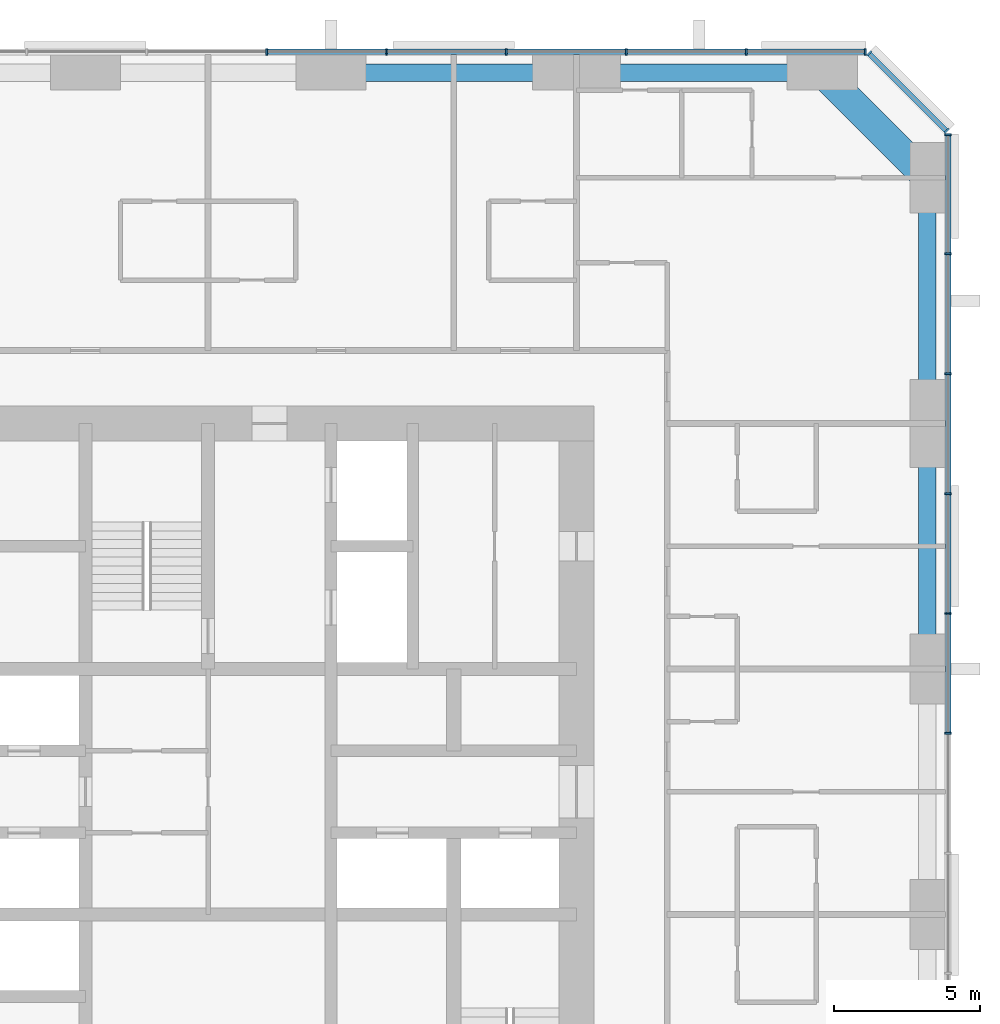
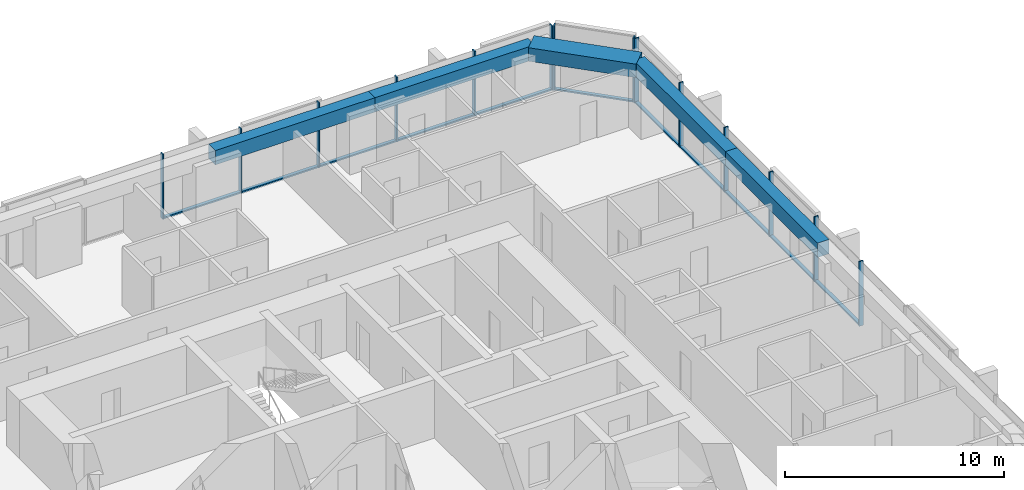
# One storey, part 6 of 13: 25 members, 5 beams, 3 elements without a shape of their own.
"""IFC4 building model written with IfcOpenShell, lengths in metres."""

from ifc_helpers import new_model, si_unit, direction, frame, origin, origin_2d, place, context, subcontext, project, spatial, rectangle, extrude, material, material_profile, profile_set, type_object, element, aggregate, save


model = new_model("IFC4")

# Units and contexts
model_context = context("Model", 3, precision=1e-05, world=origin(), true_north=direction((0.0, 1.0)))
body_context = subcontext(model_context, "Body", "Model", "MODEL_VIEW")
ifc_project = project(units=[si_unit("LENGTHUNIT", "METRE"), si_unit("AREAUNIT", "SQUARE_METRE"), si_unit("VOLUMEUNIT", "CUBIC_METRE"), si_unit("PLANEANGLEUNIT", "RADIAN"), si_unit("MASSUNIT", "GRAM", prefix="KILO")], contexts=[model_context])

# Site, building, storey
site_placement = place(None, origin())
site = spatial("IfcSite", under=ifc_project, at=site_placement, CompositionType="ELEMENT")
building_placement = place(site_placement, origin())
building = spatial("IfcBuilding", under=site, at=building_placement, Name="Dunama Terrace Hotel", CompositionType="ELEMENT")
storey_placement = place(building_placement, frame((0.0, 0.0, 144.0)))
storey = spatial("IfcBuildingStorey", under=building, at=storey_placement, Name="L37", CompositionType="ELEMENT", Elevation=144.0)

# Curtain wall, members
ifc_material_1 = material(Name="Aluminium curtain wall system", Category="aluminium")
curtain_wall_type = type_object("IfcCurtainWallType", Name="Unitised fritted glass wall CW-B", PredefinedType="NOTDEFINED", material=ifc_material_1)
curtain_wall_1_placement = place(storey_placement, origin())
curtain_wall_1 = element("IfcCurtainWall", 1, at=curtain_wall_1_placement, inside=storey, type_object=curtain_wall_type, Name="Unitised fritted glass wall CW-B L37", PredefinedType="NOTDEFINED")
ifc_material_2 = material(Name="Aluminium mullion", Category="aluminium")
ifc_material_profile_1 = material_profile(ifc_material_2, rectangle(XDim=0.06494140625, YDim=0.219970703125, at=origin_2d()), Name="CWB MULLION 65X220")
ifc_profile_set_1 = profile_set([ifc_material_profile_1], Name="Aluminium mullion")
member_type_1 = type_object("IfcMemberType", Name="CWB mullion 65x220", PredefinedType="MULLION", material=ifc_profile_set_1)
member_1_placement = place(storey_placement, frame((54.7099609375, 31.39990234375, 0.0), z_axis=(0.0, 0.0, 1.0), x_axis=(0.0, 1.0, 0.0)))
member_1 = element("IfcMember", 2, at=member_1_placement, type_object=member_type_1, Name="CWB mullion", PredefinedType="MULLION", context=body_context, shape_type="SweptSolid", body=[
    extrude(rectangle(XDim=0.06494140625, YDim=0.219970703125, at=origin_2d()), origin(), (0.0, 0.0, 1.0), 3.60009765625),
])
member_2_placement = place(storey_placement, frame((54.7099609375, 35.5, 0.0), z_axis=(0.0, 0.0, 1.0), x_axis=(0.0, 1.0, 0.0)))
member_2 = element("IfcMember", 3, at=member_2_placement, type_object=member_type_1, Name="CWB mullion", PredefinedType="MULLION", context=body_context, shape_type="SweptSolid", body=[
    extrude(rectangle(XDim=0.06494140625, YDim=0.219970703125, at=origin_2d()), origin(), (0.0, 0.0, 1.0), 3.60009765625),
])
member_3_placement = place(storey_placement, frame((54.7099609375, 39.60009765625, 0.0), z_axis=(0.0, 0.0, 1.0), x_axis=(0.0, 1.0, 0.0)))
member_3 = element("IfcMember", 4, at=member_3_placement, type_object=member_type_1, Name="CWB mullion", PredefinedType="MULLION", context=body_context, shape_type="SweptSolid", body=[
    extrude(rectangle(XDim=0.06494140625, YDim=0.219970703125, at=origin_2d()), origin(), (0.0, 0.0, 1.0), 3.60009765625),
])
member_4_placement = place(storey_placement, frame((54.7099609375, 43.699951171875, 0.0), z_axis=(0.0, 0.0, 1.0), x_axis=(0.0, 1.0, 0.0)))
member_4 = element("IfcMember", 5, at=member_4_placement, type_object=member_type_1, Name="CWB mullion", PredefinedType="MULLION", context=body_context, shape_type="SweptSolid", body=[
    extrude(rectangle(XDim=0.06494140625, YDim=0.219970703125, at=origin_2d()), origin(), (0.0, 0.0, 1.0), 3.60009765625),
])
member_5_placement = place(storey_placement, frame((54.7099609375, 47.800048828125, 0.0), z_axis=(0.0, 0.0, 1.0), x_axis=(0.0, 1.0, 0.0)))
member_5 = element("IfcMember", 6, at=member_5_placement, type_object=member_type_1, Name="CWB mullion", PredefinedType="MULLION", context=body_context, shape_type="SweptSolid", body=[
    extrude(rectangle(XDim=0.06494140625, YDim=0.219970703125, at=origin_2d()), origin(), (0.0, 0.0, 1.0), 3.60009765625),
])
member_6_placement = place(storey_placement, frame((54.7099609375, 51.866943359375, 0.0), z_axis=(0.0, 0.0, 1.0), x_axis=(0.0, 1.0, 0.0)))
member_6 = element("IfcMember", 7, at=member_6_placement, type_object=member_type_1, Name="CWB mullion", PredefinedType="MULLION", context=body_context, shape_type="SweptSolid", body=[
    extrude(rectangle(XDim=0.06494140625, YDim=0.219970703125, at=origin_2d()), origin(), (0.0, 0.0, 1.0), 3.60009765625),
])

curtain_wall_2_placement = place(storey_placement, origin())
curtain_wall_2 = element("IfcCurtainWall", 8, at=curtain_wall_2_placement, inside=storey, type_object=curtain_wall_type, Name="Unitised fritted glass wall CW-B L37", PredefinedType="NOTDEFINED")
member_7_placement = place(storey_placement, frame((54.655029296875, 52.0009765625, 0.0), z_axis=(0.0, 0.0, 1.0), x_axis=(-0.707106781187, 0.707106781187, 0.0)))
member_7 = element("IfcMember", 9, at=member_7_placement, type_object=member_type_1, Name="CWB mullion", PredefinedType="MULLION", context=body_context, shape_type="SweptSolid", body=[
    extrude(rectangle(XDim=0.06494140625, YDim=0.219970703125, at=origin_2d()), origin(), (0.0, 0.0, 1.0), 3.60009765625),
])
member_8_placement = place(storey_placement, frame((52.0009765625, 54.655029296875, 0.0), z_axis=(0.0, 0.0, 1.0), x_axis=(-0.707106781187, 0.707106781187, 0.0)))
member_8 = element("IfcMember", 10, at=member_8_placement, type_object=member_type_1, Name="CWB mullion", PredefinedType="MULLION", context=body_context, shape_type="SweptSolid", body=[
    extrude(rectangle(XDim=0.06494140625, YDim=0.219970703125, at=origin_2d()), origin(), (0.0, 0.0, 1.0), 3.60009765625),
])

curtain_wall_3_placement = place(storey_placement, origin())
curtain_wall_3 = element("IfcCurtainWall", 11, at=curtain_wall_3_placement, inside=storey, type_object=curtain_wall_type, Name="Unitised fritted glass wall CW-B L37", PredefinedType="NOTDEFINED")
member_9_placement = place(storey_placement, frame((51.866943359375, 54.7099609375, 0.0), z_axis=(0.0, 0.0, 1.0), x_axis=(-1.0, 0.0, 0.0)))
member_9 = element("IfcMember", 12, at=member_9_placement, type_object=member_type_1, Name="CWB mullion", PredefinedType="MULLION", context=body_context, shape_type="SweptSolid", body=[
    extrude(rectangle(XDim=0.06494140625, YDim=0.219970703125, at=origin_2d()), origin(), (0.0, 0.0, 1.0), 3.60009765625),
])
member_10_placement = place(storey_placement, frame((47.800048828125, 54.7099609375, 0.0), z_axis=(0.0, 0.0, 1.0), x_axis=(-1.0, 0.0, 0.0)))
member_10 = element("IfcMember", 13, at=member_10_placement, type_object=member_type_1, Name="CWB mullion", PredefinedType="MULLION", context=body_context, shape_type="SweptSolid", body=[
    extrude(rectangle(XDim=0.06494140625, YDim=0.219970703125, at=origin_2d()), origin(), (0.0, 0.0, 1.0), 3.60009765625),
])
member_11_placement = place(storey_placement, frame((43.699951171875, 54.7099609375, 0.0), z_axis=(0.0, 0.0, 1.0), x_axis=(-1.0, 0.0, 0.0)))
member_11 = element("IfcMember", 14, at=member_11_placement, type_object=member_type_1, Name="CWB mullion", PredefinedType="MULLION", context=body_context, shape_type="SweptSolid", body=[
    extrude(rectangle(XDim=0.06494140625, YDim=0.219970703125, at=origin_2d()), origin(), (0.0, 0.0, 1.0), 3.60009765625),
])
member_12_placement = place(storey_placement, frame((39.60009765625, 54.7099609375, 0.0), z_axis=(0.0, 0.0, 1.0), x_axis=(-1.0, 0.0, 0.0)))
member_12 = element("IfcMember", 15, at=member_12_placement, type_object=member_type_1, Name="CWB mullion", PredefinedType="MULLION", context=body_context, shape_type="SweptSolid", body=[
    extrude(rectangle(XDim=0.06494140625, YDim=0.219970703125, at=origin_2d()), origin(), (0.0, 0.0, 1.0), 3.60009765625),
])
member_13_placement = place(storey_placement, frame((35.5, 54.7099609375, 0.0), z_axis=(0.0, 0.0, 1.0), x_axis=(-1.0, 0.0, 0.0)))
member_13 = element("IfcMember", 16, at=member_13_placement, type_object=member_type_1, Name="CWB mullion", PredefinedType="MULLION", context=body_context, shape_type="SweptSolid", body=[
    extrude(rectangle(XDim=0.06494140625, YDim=0.219970703125, at=origin_2d()), origin(), (0.0, 0.0, 1.0), 3.60009765625),
])
member_14_placement = place(storey_placement, frame((31.39990234375, 54.7099609375, 0.0), z_axis=(0.0, 0.0, 1.0), x_axis=(-1.0, 0.0, 0.0)))
member_14 = element("IfcMember", 17, at=member_14_placement, type_object=member_type_1, Name="CWB mullion", PredefinedType="MULLION", context=body_context, shape_type="SweptSolid", body=[
    extrude(rectangle(XDim=0.06494140625, YDim=0.219970703125, at=origin_2d()), origin(), (0.0, 0.0, 1.0), 3.60009765625),
])

# Member
ifc_material_3 = material(Name="Aluminium transom", Category="aluminium")
ifc_material_profile_2 = material_profile(ifc_material_3, rectangle(XDim=0.179931640625, YDim=0.080078125, at=origin_2d()), Name="CWB TRANSOM 180X80")
ifc_profile_set_2 = profile_set([ifc_material_profile_2], Name="Aluminium transom")
member_type_2 = type_object("IfcMemberType", Name="CWB transom 180x80", PredefinedType="USERDEFINED", material=ifc_profile_set_2)
member_15_placement = place(storey_placement, frame((54.7099609375, 31.431884765625, 0.0400390625), z_axis=(0.0, 1.0, 0.0), x_axis=(-1.0, 0.0, 0.0)))
member_15 = element("IfcMember", 18, at=member_15_placement, type_object=member_type_2, Name="CWB transom", ObjectType="TRANSOM", PredefinedType="USERDEFINED", context=body_context, shape_type="SweptSolid", body=[
    extrude(rectangle(XDim=0.179931640625, YDim=0.080078125, at=origin_2d()), origin(), (0.0, 0.0, 1.0), 4.0361328125),
])

member_16_placement = place(storey_placement, frame((54.7099609375, 35.531982421875, 0.0400390625), z_axis=(0.0, 1.0, 0.0), x_axis=(-1.0, 0.0, 0.0)))
member_16 = element("IfcMember", 19, at=member_16_placement, type_object=member_type_2, Name="CWB transom", ObjectType="TRANSOM", PredefinedType="USERDEFINED", context=body_context, shape_type="SweptSolid", body=[
    extrude(rectangle(XDim=0.179931640625, YDim=0.080078125, at=origin_2d()), origin(), (0.0, 0.0, 1.0), 4.0361328125),
])

member_17_placement = place(storey_placement, frame((54.7099609375, 39.633056640625, 0.0400390625), z_axis=(0.0, 1.0, 0.0), x_axis=(-1.0, 0.0, 0.0)))
member_17 = element("IfcMember", 20, at=member_17_placement, type_object=member_type_2, Name="CWB transom", ObjectType="TRANSOM", PredefinedType="USERDEFINED", context=body_context, shape_type="SweptSolid", body=[
    extrude(rectangle(XDim=0.179931640625, YDim=0.080078125, at=origin_2d()), origin(), (0.0, 0.0, 1.0), 4.034912109375),
])

member_18_placement = place(storey_placement, frame((54.7099609375, 43.73291015625, 0.0400390625), z_axis=(0.0, 1.0, 0.0), x_axis=(-1.0, 0.0, 0.0)))
member_18 = element("IfcMember", 21, at=member_18_placement, type_object=member_type_2, Name="CWB transom", ObjectType="TRANSOM", PredefinedType="USERDEFINED", context=body_context, shape_type="SweptSolid", body=[
    extrude(rectangle(XDim=0.179931640625, YDim=0.080078125, at=origin_2d()), origin(), (0.0, 0.0, 1.0), 4.0341796875),
])

member_19_placement = place(storey_placement, frame((54.7099609375, 47.83203125, 0.0400390625), z_axis=(0.0, 1.0, 0.0), x_axis=(-1.0, 0.0, 0.0)))
member_19 = element("IfcMember", 22, at=member_19_placement, type_object=member_type_2, Name="CWB transom", ObjectType="TRANSOM", PredefinedType="USERDEFINED", context=body_context, shape_type="SweptSolid", body=[
    extrude(rectangle(XDim=0.179931640625, YDim=0.080078125, at=origin_2d()), origin(), (0.0, 0.0, 1.0), 4.0029296875),
])

aggregate(curtain_wall_1, [member_1, member_2, member_3, member_4, member_5, member_6, member_15, member_16, member_17, member_18, member_19])

member_20_placement = place(storey_placement, frame((54.632080078125, 52.02392578125, 0.0400390625), z_axis=(-0.707106781187, 0.707106781187, 0.0), x_axis=(-0.707106781187, -0.707106781187, 0.0)))
member_20 = element("IfcMember", 23, at=member_20_placement, type_object=member_type_2, Name="CWB transom", ObjectType="TRANSOM", PredefinedType="USERDEFINED", context=body_context, shape_type="SweptSolid", body=[
    extrude(rectangle(XDim=0.179931640625, YDim=0.080078125, at=origin_2d()), origin(), (0.0, 0.0, 1.0), 3.6884765625),
])

aggregate(curtain_wall_2, [member_7, member_8, member_20])

member_21_placement = place(storey_placement, frame((51.8349609375, 54.7099609375, 0.0400390625), z_axis=(-1.0, 0.0, 0.0), x_axis=(0.0, -1.0, 0.0)))
member_21 = element("IfcMember", 24, at=member_21_placement, type_object=member_type_2, Name="CWB transom", ObjectType="TRANSOM", PredefinedType="USERDEFINED", context=body_context, shape_type="SweptSolid", body=[
    extrude(rectangle(XDim=0.179931640625, YDim=0.080078125, at=origin_2d()), origin(), (0.0, 0.0, 1.0), 4.0029296875),
])

member_22_placement = place(storey_placement, frame((47.76708984375, 54.7099609375, 0.0400390625), z_axis=(-1.0, 0.0, 0.0), x_axis=(0.0, -1.0, 0.0)))
member_22 = element("IfcMember", 25, at=member_22_placement, type_object=member_type_2, Name="CWB transom", ObjectType="TRANSOM", PredefinedType="USERDEFINED", context=body_context, shape_type="SweptSolid", body=[
    extrude(rectangle(XDim=0.179931640625, YDim=0.080078125, at=origin_2d()), origin(), (0.0, 0.0, 1.0), 4.0341796875),
])

member_23_placement = place(storey_placement, frame((43.6669921875, 54.7099609375, 0.0400390625), z_axis=(-1.0, 0.0, 0.0), x_axis=(0.0, -1.0, 0.0)))
member_23 = element("IfcMember", 26, at=member_23_placement, type_object=member_type_2, Name="CWB transom", ObjectType="TRANSOM", PredefinedType="USERDEFINED", context=body_context, shape_type="SweptSolid", body=[
    extrude(rectangle(XDim=0.179931640625, YDim=0.080078125, at=origin_2d()), origin(), (0.0, 0.0, 1.0), 4.033935546875),
])

member_24_placement = place(storey_placement, frame((39.56689453125, 54.7099609375, 0.0400390625), z_axis=(-1.0, 0.0, 0.0), x_axis=(0.0, -1.0, 0.0)))
member_24 = element("IfcMember", 27, at=member_24_placement, type_object=member_type_2, Name="CWB transom", ObjectType="TRANSOM", PredefinedType="USERDEFINED", context=body_context, shape_type="SweptSolid", body=[
    extrude(rectangle(XDim=0.179931640625, YDim=0.080078125, at=origin_2d()), origin(), (0.0, 0.0, 1.0), 4.034912109375),
])

member_25_placement = place(storey_placement, frame((35.468017578125, 54.7099609375, 0.0400390625), z_axis=(-1.0, 0.0, 0.0), x_axis=(0.0, -1.0, 0.0)))
member_25 = element("IfcMember", 28, at=member_25_placement, type_object=member_type_2, Name="CWB transom", ObjectType="TRANSOM", PredefinedType="USERDEFINED", context=body_context, shape_type="SweptSolid", body=[
    extrude(rectangle(XDim=0.179931640625, YDim=0.080078125, at=origin_2d()), origin(), (0.0, 0.0, 1.0), 4.0361328125),
])

aggregate(curtain_wall_3, [member_9, member_10, member_11, member_12, member_13, member_14, member_21, member_22, member_23, member_24, member_25])

# Beams
ifc_material_4 = material(Name="Concrete C50/60", Category="concrete")
ifc_material_profile_3 = material_profile(ifc_material_4, rectangle(XDim=1.0, YDim=0.75, at=origin_2d()), Name="RC 1000x750")
ifc_profile_set_3 = profile_set([ifc_material_profile_3], Name="Concrete C50/60")
beam_type_1 = type_object("IfcBeamType", Name="Edge beam RC 1000x750", PredefinedType="SPANDREL", material=ifc_profile_set_3)
beam_placement = place(storey_placement, frame((50.39990234375, 54.0, 3.22509765625), z_axis=(0.707106781187, -0.707106781187, 0.0), x_axis=(0.707106781187, 0.707106781187, 0.0)))
element("IfcBeam", 29, at=beam_placement, inside=storey, type_object=beam_type_1, Name="Corner edge beam under L38", PredefinedType="SPANDREL", context=body_context, shape_type="SweptSolid", body=[
    extrude(rectangle(XDim=1.0, YDim=0.75, at=origin_2d()), origin(), (0.0, 0.0, 1.0), 5.09130859375),
])
ifc_material_5 = material(Name="Concrete C40/50", Category="concrete")
ifc_material_profile_4 = material_profile(ifc_material_5, rectangle(XDim=0.60009765625, YDim=0.800048828125, at=origin_2d()), Name="RC 600x800")
ifc_profile_set_4 = profile_set([ifc_material_profile_4], Name="Concrete C40/50")
beam_type_2 = type_object("IfcBeamType", Name="Edge beam RC 600x800", PredefinedType="SPANDREL", material=ifc_profile_set_4)
for number, where, z_axis, x_axis, name in (
    (30, (54.0, 33.60009765625, 3.199951171875), (0.0, 1.0, 0.0), (-1.0, 0.0, 0.0), "Edge beam under L38"),
    (31, (54.0, 42.0, 3.199951171875), (0.0, 1.0, 0.0), (-1.0, 0.0, 0.0), "Edge beam under L38"),
    (32, (33.60009765625, 54.0, 3.199951171875), (1.0, 0.0, 0.0), (0.0, 1.0, 0.0), "Edge beam under L38"),
    (33, (42.0, 54.0, 3.199951171875), (1.0, 0.0, 0.0), (0.0, 1.0, 0.0), "Edge beam under L38"),
):
    element("IfcBeam", number, at=place(storey_placement, frame(where, z_axis=z_axis, x_axis=x_axis)), inside=storey, type_object=beam_type_2, Name=name, PredefinedType="SPANDREL", context=body_context, shape_type="SweptSolid", body=[
        extrude(rectangle(XDim=0.60009765625, YDim=0.800048828125, at=origin_2d()), origin(), (0.0, 0.0, 1.0), 8.39990234375),
    ])

save(model, "model.ifc")
